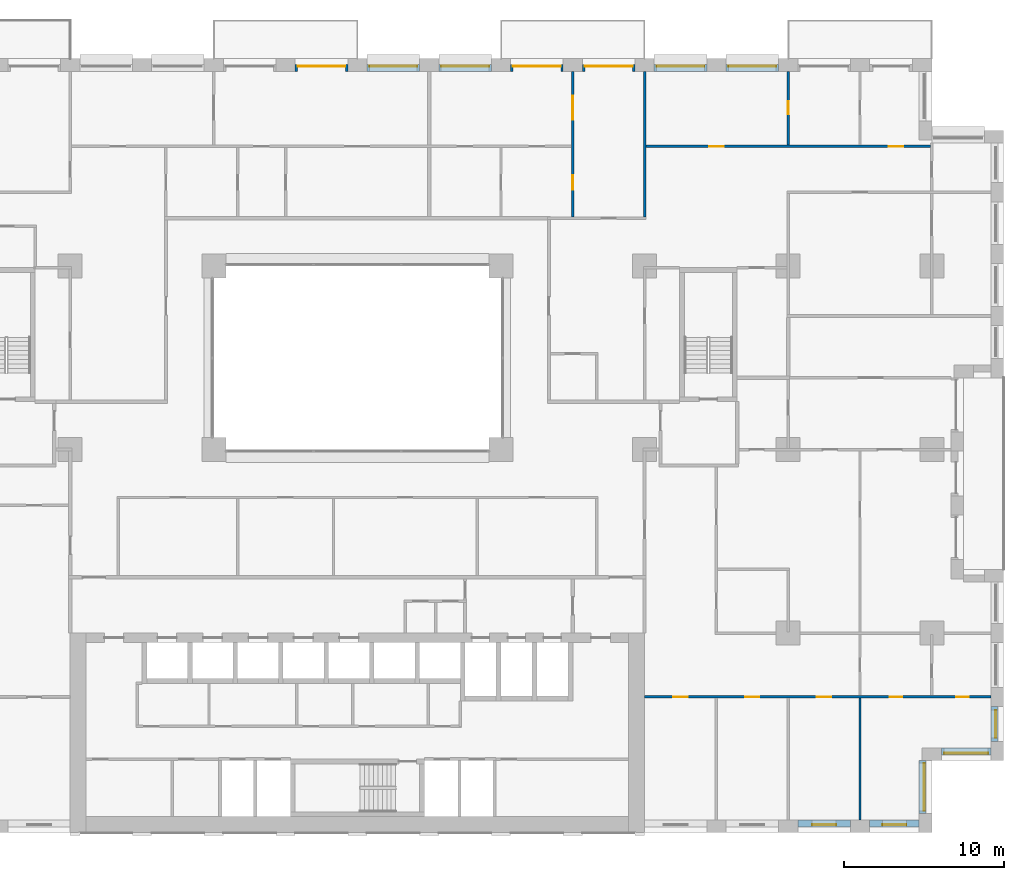
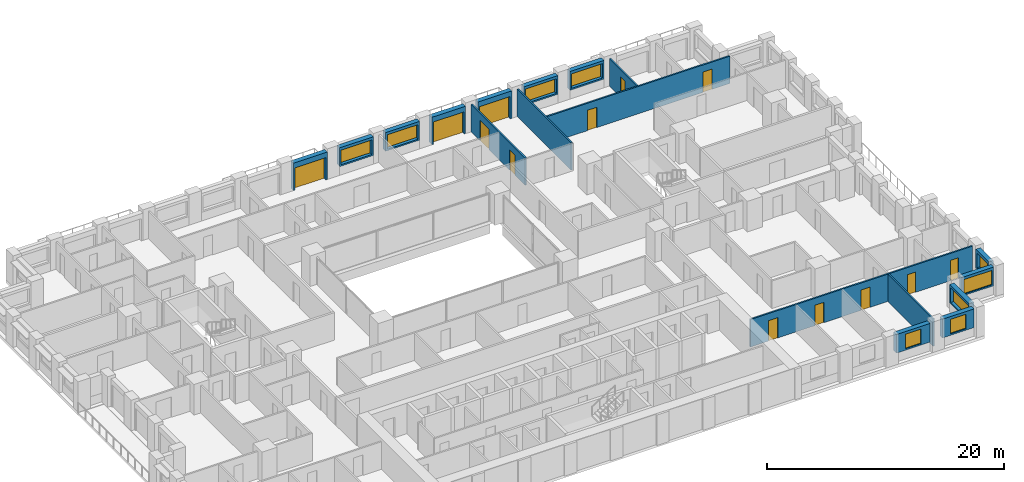
# One storey, part 15 of 19: 18 walls, 13 doors, 9 windows, 22 openings.
"""IFC4 building model written with IfcOpenShell, lengths in metres."""

from ifc_helpers import new_model, si_unit, direction, frame, frame_2d, origin, place, context, subcontext, project, spatial, rectangle, extrude, material, layer, layer_set, type_object, element, fill, save


model = new_model("IFC4")

# Units and contexts
model_context = context("Model", 3, precision=1e-05, world=origin(), true_north=direction((0.0, 1.0)))
body_context = subcontext(model_context, "Body", "Model", "MODEL_VIEW")
ifc_project = project(units=[si_unit("LENGTHUNIT", "METRE"), si_unit("AREAUNIT", "SQUARE_METRE"), si_unit("VOLUMEUNIT", "CUBIC_METRE"), si_unit("PLANEANGLEUNIT", "RADIAN"), si_unit("MASSUNIT", "GRAM", prefix="KILO")], contexts=[model_context])

# Site, building, storey
site_placement = place(None, origin())
site = spatial("IfcSite", under=ifc_project, at=site_placement, CompositionType="ELEMENT")
building_placement = place(site_placement, origin())
building = spatial("IfcBuilding", under=site, at=building_placement, Name="Brigalow Station Residences", CompositionType="ELEMENT")
storey_placement = place(building_placement, frame((0.0, 0.0, 28.949951171875)))
storey = spatial("IfcBuildingStorey", under=building, at=storey_placement, Name="L07", CompositionType="ELEMENT", Elevation=28.949951171875)

# Wall, opening, window
ifc_material_1 = material(Name="Clay brick masonry", Category="masonry")
ifc_layer_1 = layer(ifc_material_1, 0.449951171875)
ifc_layer_set_1 = layer_set([ifc_layer_1], Name="BRICK INFILL WALL 450")
wall_type_1 = type_object("IfcWallType", Name="BRICK INFILL WALL 450", PredefinedType="SOLIDWALL", material=ifc_layer_set_1)
wall_1_placement = place(storey_placement, frame((63.60009765625, 0.574951171875, 0.900146484375), z_axis=(0.0, 0.0, 1.0), x_axis=(1.0, 0.0, 0.0)))
wall_1 = element("IfcWall", 1, at=wall_1_placement, inside=storey, type_object=wall_type_1, Name="L07/ewall/W-L07-7", PredefinedType="SOLIDWALL", context=body_context, shape_type="SweptSolid", body=[
    extrude(rectangle(XDim=3.2998046875, YDim=0.449951171875, at=frame_2d((1.64990234375, 0.0))), origin(), (0.0, 0.0, 1.0), 1.929931640625),
])
opening_1_placement = place(wall_1_placement, frame((0.89990234375, 0.0, 0.14990234375)))
opening_1 = element("IfcOpeningElement", 2, at=opening_1_placement, cuts=wall_1, Name="Opening WT-1", PredefinedType="OPENING", context=body_context, shape_type="SweptSolid", body=[
    extrude(rectangle(XDim=1.5, YDim=1.5, at=frame_2d((0.75, 0.75))), frame((0.0, 0.23486328125, 0.0), z_axis=(0.0, -1.0, 0.0), x_axis=(1.0, 0.0, 0.0)), (0.0, 0.0, 1.0), 0.469970703125),
])
ifc_material_2 = material(Name="Anodised aluminium frame with double glazing", Category="aluminium")
window_type_1 = type_object("IfcWindowType", Name="WINDOW 1500x1500", PartitioningType="SINGLE_PANEL", PredefinedType="WINDOW", material=ifc_material_2)
window_1_placement = place(opening_1_placement, origin())
window_1 = element("IfcWindow", 3, at=window_1_placement, inside=storey, type_object=window_type_1, Name="L07/window/W-L07-7", OverallHeight=1.5, OverallWidth=1.5, PartitioningType="SINGLE_PANEL", PredefinedType="WINDOW", context=body_context, shape_type="SweptSolid", body=[
    extrude(rectangle(XDim=1.5, YDim=1.5, at=frame_2d((0.75, 0.75))), frame((0.0, -0.06494140625, 0.0), z_axis=(0.0, -1.0, 0.0), x_axis=(1.0, 0.0, 0.0)), (0.0, 0.0, 1.0), 0.06005859375),
])
fill(opening_1, window_1)

wall_2_placement = place(storey_placement, frame((68.10009765625, 0.574951171875, 0.900146484375), z_axis=(0.0, 0.0, 1.0), x_axis=(1.0, 0.0, 0.0)))
wall_2 = element("IfcWall", 4, at=wall_2_placement, inside=storey, type_object=wall_type_1, Name="L07/ewall/W-L07-8", PredefinedType="SOLIDWALL", context=body_context, shape_type="SweptSolid", body=[
    extrude(rectangle(XDim=3.099853515625, YDim=0.449951171875, at=frame_2d((1.5498046875, 0.0))), origin(), (0.0, 0.0, 1.0), 1.929931640625),
])
opening_2_placement = place(wall_2_placement, frame((0.800048828125, 0.0, 0.14990234375)))
opening_2 = element("IfcOpeningElement", 5, at=opening_2_placement, cuts=wall_2, Name="Opening WT-1", PredefinedType="OPENING", context=body_context, shape_type="SweptSolid", body=[
    extrude(rectangle(XDim=1.5, YDim=1.5, at=frame_2d((0.75, 0.75))), frame((0.0, 0.23486328125, 0.0), z_axis=(0.0, -1.0, 0.0), x_axis=(1.0, 0.0, 0.0)), (0.0, 0.0, 1.0), 0.469970703125),
])
window_2_placement = place(opening_2_placement, origin())
window_2 = element("IfcWindow", 6, at=window_2_placement, inside=storey, type_object=window_type_1, Name="L07/window/W-L07-8", OverallHeight=1.5, OverallWidth=1.5, PartitioningType="SINGLE_PANEL", PredefinedType="WINDOW", context=body_context, shape_type="SweptSolid", body=[
    extrude(rectangle(XDim=1.5, YDim=1.5, at=frame_2d((0.75, 0.75))), frame((0.0, -0.06494140625, 0.0), z_axis=(0.0, -1.0, 0.0), x_axis=(1.0, 0.0, 0.0)), (0.0, 0.0, 1.0), 0.06005859375),
])
fill(opening_2, window_2)

wall_3_placement = place(storey_placement, frame((71.425048828125, 1.199951171875, 0.900146484375), z_axis=(0.0, 0.0, 1.0), x_axis=(0.0, 1.0, 0.0)))
wall_3 = element("IfcWall", 7, at=wall_3_placement, inside=storey, type_object=wall_type_1, Name="L07/ewall/W-L07-9", PredefinedType="SOLIDWALL", context=body_context, shape_type="SweptSolid", body=[
    extrude(rectangle(XDim=3.300048828125, YDim=0.449951171875, at=frame_2d((1.64990234375, 0.0))), origin(), (0.0, 0.0, 1.0), 1.929931640625),
])
opening_3_placement = place(wall_3_placement, frame((0.14990234375, 0.0, 0.14990234375)))
opening_3 = element("IfcOpeningElement", 8, at=opening_3_placement, cuts=wall_3, Name="Opening WT-2", PredefinedType="OPENING", context=body_context, shape_type="SweptSolid", body=[
    extrude(rectangle(XDim=3.0, YDim=1.5, at=frame_2d((1.5, 0.75))), frame((0.0, 0.23486328125, 0.0), z_axis=(0.0, -1.0, 0.0), x_axis=(1.0, 0.0, 0.0)), (0.0, 0.0, 1.0), 0.469970703125),
])
ifc_material_3 = material(Name="Anodised aluminium frame with double glazing", Category="aluminium")
window_type_2 = type_object("IfcWindowType", Name="WINDOW 3000x1500", PartitioningType="SINGLE_PANEL", PredefinedType="WINDOW", material=ifc_material_3)
window_3_placement = place(opening_3_placement, origin())
window_3 = element("IfcWindow", 9, at=window_3_placement, inside=storey, type_object=window_type_2, Name="L07/window/W-L07-9", OverallHeight=1.5, OverallWidth=3.0, PartitioningType="SINGLE_PANEL", PredefinedType="WINDOW", context=body_context, shape_type="SweptSolid", body=[
    extrude(rectangle(XDim=3.0, YDim=1.5, at=frame_2d((1.5, 0.75))), frame((0.0, -0.06494140625, 0.0), z_axis=(0.0, -1.0, 0.0), x_axis=(1.0, 0.0, 0.0)), (0.0, 0.0, 1.0), 0.06005859375),
])
fill(opening_3, window_3)

wall_4_placement = place(storey_placement, frame((72.60009765625, 5.074951171875, 0.900146484375), z_axis=(0.0, 0.0, 1.0), x_axis=(1.0, 0.0, 0.0)))
wall_4 = element("IfcWall", 10, at=wall_4_placement, inside=storey, type_object=wall_type_1, Name="L07/ewall/W-L07-10", PredefinedType="SOLIDWALL", context=body_context, shape_type="SweptSolid", body=[
    extrude(rectangle(XDim=3.099853515625, YDim=0.449951171875, at=frame_2d((1.5498046875, 0.0))), origin(), (0.0, 0.0, 1.0), 1.929931640625),
])
opening_4_placement = place(wall_4_placement, frame((0.175048828125, 0.0, 0.14990234375)))
opening_4 = element("IfcOpeningElement", 11, at=opening_4_placement, cuts=wall_4, Name="Opening WT-3", PredefinedType="OPENING", context=body_context, shape_type="SweptSolid", body=[
    extrude(rectangle(XDim=2.75, YDim=1.5, at=frame_2d((1.375, 0.75))), frame((0.0, 0.23486328125, 0.0), z_axis=(0.0, -1.0, 0.0), x_axis=(1.0, 0.0, 0.0)), (0.0, 0.0, 1.0), 0.469970703125),
])
ifc_material_4 = material(Name="Anodised aluminium frame with double glazing", Category="aluminium")
window_type_3 = type_object("IfcWindowType", Name="WINDOW 2750x1500", PartitioningType="SINGLE_PANEL", PredefinedType="WINDOW", material=ifc_material_4)
window_4_placement = place(opening_4_placement, origin())
window_4 = element("IfcWindow", 12, at=window_4_placement, inside=storey, type_object=window_type_3, Name="L07/window/W-L07-10", OverallHeight=1.5, OverallWidth=2.75, PartitioningType="SINGLE_PANEL", PredefinedType="WINDOW", context=body_context, shape_type="SweptSolid", body=[
    extrude(rectangle(XDim=2.75, YDim=1.5, at=frame_2d((1.375, 0.75))), frame((0.0, -0.06494140625, 0.0), z_axis=(0.0, -1.0, 0.0), x_axis=(1.0, 0.0, 0.0)), (0.0, 0.0, 1.0), 0.06005859375),
])
fill(opening_4, window_4)

wall_5_placement = place(storey_placement, frame((75.925048828125, 5.699951171875, 0.900146484375), z_axis=(0.0, 0.0, 1.0), x_axis=(0.0, 1.0, 0.0)))
wall_5 = element("IfcWall", 13, at=wall_5_placement, inside=storey, type_object=wall_type_1, Name="L07/ewall/W-L07-11", PredefinedType="SOLIDWALL", context=body_context, shape_type="SweptSolid", body=[
    extrude(rectangle(XDim=2.199951171875, YDim=0.449951171875, at=frame_2d((1.10009765625, 0.0))), origin(), (0.0, 0.0, 1.0), 1.929931640625),
])
opening_5_placement = place(wall_5_placement, frame((0.22509765625, 0.0, 0.14990234375)))
opening_5 = element("IfcOpeningElement", 14, at=opening_5_placement, cuts=wall_5, Name="Opening WT-4", PredefinedType="OPENING", context=body_context, shape_type="SweptSolid", body=[
    extrude(rectangle(XDim=1.75, YDim=1.5, at=frame_2d((0.875, 0.75))), frame((0.0, 0.23486328125, 0.0), z_axis=(0.0, -1.0, 0.0), x_axis=(1.0, 0.0, 0.0)), (0.0, 0.0, 1.0), 0.469970703125),
])
ifc_material_5 = material(Name="Anodised aluminium frame with double glazing", Category="aluminium")
window_type_4 = type_object("IfcWindowType", Name="WINDOW 1750x1500", PartitioningType="SINGLE_PANEL", PredefinedType="WINDOW", material=ifc_material_5)
window_5_placement = place(opening_5_placement, origin())
window_5 = element("IfcWindow", 15, at=window_5_placement, inside=storey, type_object=window_type_4, Name="L07/window/W-L07-11", OverallHeight=1.5, OverallWidth=1.75, PartitioningType="SINGLE_PANEL", PredefinedType="WINDOW", context=body_context, shape_type="SweptSolid", body=[
    extrude(rectangle(XDim=1.75, YDim=1.5, at=frame_2d((0.875, 0.75))), frame((0.0, -0.06494140625, 0.0), z_axis=(0.0, -1.0, 0.0), x_axis=(1.0, 0.0, 0.0)), (0.0, 0.0, 1.0), 0.06005859375),
])
fill(opening_5, window_5)

wall_6_placement = place(storey_placement, frame((62.39990234375, 47.925048828125, 0.900146484375), z_axis=(0.0, 0.0, 1.0), x_axis=(-1.0, 0.0, 0.0)))
wall_6 = element("IfcWall", 16, at=wall_6_placement, inside=storey, type_object=wall_type_1, Name="L07/ewall/W-L07-27", PredefinedType="SOLIDWALL", context=body_context, shape_type="SweptSolid", body=[
    extrude(rectangle(XDim=3.2998046875, YDim=0.449951171875, at=frame_2d((1.64990234375, 0.0))), origin(), (0.0, 0.0, 1.0), 1.929931640625),
])
opening_6_placement = place(wall_6_placement, frame((0.14990234375, 0.0, 0.14990234375)))
opening_6 = element("IfcOpeningElement", 17, at=opening_6_placement, cuts=wall_6, Name="Opening WT-2", PredefinedType="OPENING", context=body_context, shape_type="SweptSolid", body=[
    extrude(rectangle(XDim=3.0, YDim=1.5, at=frame_2d((1.5, 0.75))), frame((0.0, 0.23486328125, 0.0), z_axis=(0.0, -1.0, 0.0), x_axis=(1.0, 0.0, 0.0)), (0.0, 0.0, 1.0), 0.469970703125),
])
window_6_placement = place(opening_6_placement, origin())
window_6 = element("IfcWindow", 18, at=window_6_placement, inside=storey, type_object=window_type_2, Name="L07/window/W-L07-27", OverallHeight=1.5, OverallWidth=3.0, PartitioningType="SINGLE_PANEL", PredefinedType="WINDOW", context=body_context, shape_type="SweptSolid", body=[
    extrude(rectangle(XDim=3.0, YDim=1.5, at=frame_2d((1.5, 0.75))), frame((0.0, -0.06494140625, 0.0), z_axis=(0.0, -1.0, 0.0), x_axis=(1.0, 0.0, 0.0)), (0.0, 0.0, 1.0), 0.06005859375),
])
fill(opening_6, window_6)

wall_7_placement = place(storey_placement, frame((57.89990234375, 47.925048828125, 0.900146484375), z_axis=(0.0, 0.0, 1.0), x_axis=(-1.0, 0.0, 0.0)))
wall_7 = element("IfcWall", 19, at=wall_7_placement, inside=storey, type_object=wall_type_1, Name="L07/ewall/W-L07-28", PredefinedType="SOLIDWALL", context=body_context, shape_type="SweptSolid", body=[
    extrude(rectangle(XDim=3.2998046875, YDim=0.449951171875, at=frame_2d((1.64990234375, 0.0))), origin(), (0.0, 0.0, 1.0), 1.929931640625),
])
opening_7_placement = place(wall_7_placement, frame((0.14990234375, 0.0, 0.14990234375)))
opening_7 = element("IfcOpeningElement", 20, at=opening_7_placement, cuts=wall_7, Name="Opening WT-2", PredefinedType="OPENING", context=body_context, shape_type="SweptSolid", body=[
    extrude(rectangle(XDim=3.0, YDim=1.5, at=frame_2d((1.5, 0.75))), frame((0.0, 0.23486328125, 0.0), z_axis=(0.0, -1.0, 0.0), x_axis=(1.0, 0.0, 0.0)), (0.0, 0.0, 1.0), 0.469970703125),
])
window_7_placement = place(opening_7_placement, origin())
window_7 = element("IfcWindow", 21, at=window_7_placement, inside=storey, type_object=window_type_2, Name="L07/window/W-L07-28", OverallHeight=1.5, OverallWidth=3.0, PartitioningType="SINGLE_PANEL", PredefinedType="WINDOW", context=body_context, shape_type="SweptSolid", body=[
    extrude(rectangle(XDim=3.0, YDim=1.5, at=frame_2d((1.5, 0.75))), frame((0.0, -0.06494140625, 0.0), z_axis=(0.0, -1.0, 0.0), x_axis=(1.0, 0.0, 0.0)), (0.0, 0.0, 1.0), 0.06005859375),
])
fill(opening_7, window_7)

# Wall, opening, door
wall_8_placement = place(storey_placement, frame((53.39990234375, 47.925048828125, 0.0), z_axis=(0.0, 0.0, 1.0), x_axis=(-1.0, 0.0, 0.0)))
wall_8 = element("IfcWall", 22, at=wall_8_placement, inside=storey, type_object=wall_type_1, Name="L07/ewall/W-L07-29", PredefinedType="SOLIDWALL", context=body_context, shape_type="SweptSolid", body=[
    extrude(rectangle(XDim=3.2998046875, YDim=0.449951171875, at=frame_2d((1.64990234375, 0.0))), origin(), (0.0, 0.0, 1.0), 2.830078125),
])
opening_8_placement = place(wall_8_placement, frame((0.14990234375, 0.0, 0.0)))
opening_8 = element("IfcOpeningElement", 23, at=opening_8_placement, cuts=wall_8, Name="Opening D-B3000", PredefinedType="OPENING", context=body_context, shape_type="SweptSolid", body=[
    extrude(rectangle(XDim=3.0, YDim=2.300048828125, at=frame_2d((1.5, 1.14990234375))), frame((0.0, 0.23486328125, 0.0), z_axis=(0.0, -1.0, 0.0), x_axis=(1.0, 0.0, 0.0)), (0.0, 0.0, 1.0), 0.469970703125),
])
ifc_material_6 = material(Name="Anodised aluminium frame with double glazing", Category="aluminium")
door_type_1 = type_object("IfcDoorType", Name="BALCONY SLIDING DOOR 3000x2300", OperationType="SLIDING_TO_LEFT", PredefinedType="DOOR", material=ifc_material_6)
door_1_placement = place(opening_8_placement, origin())
door_1 = element("IfcDoor", 24, at=door_1_placement, inside=storey, type_object=door_type_1, Name="L07/balcony-door/W-L07-29", OperationType="SLIDING_TO_LEFT", OverallHeight=2.300048828125, OverallWidth=3.0, PredefinedType="DOOR", context=body_context, shape_type="SweptSolid", body=[
    extrude(rectangle(XDim=3.0, YDim=2.300048828125, at=frame_2d((1.5, 1.14990234375))), frame((0.0, -0.06982421875, 0.0), z_axis=(0.0, -1.0, 0.0), x_axis=(1.0, 0.0, 0.0)), (0.0, 0.0, 1.0), 0.050048828125),
])
fill(opening_8, door_1)

wall_9_placement = place(storey_placement, frame((48.89990234375, 47.925048828125, 0.0), z_axis=(0.0, 0.0, 1.0), x_axis=(-1.0, 0.0, 0.0)))
wall_9 = element("IfcWall", 25, at=wall_9_placement, inside=storey, type_object=wall_type_1, Name="L07/ewall/W-L07-30", PredefinedType="SOLIDWALL", context=body_context, shape_type="SweptSolid", body=[
    extrude(rectangle(XDim=3.2998046875, YDim=0.449951171875, at=frame_2d((1.64990234375, 0.0))), origin(), (0.0, 0.0, 1.0), 2.830078125),
])
opening_9_placement = place(wall_9_placement, frame((0.14990234375, 0.0, 0.0)))
opening_9 = element("IfcOpeningElement", 26, at=opening_9_placement, cuts=wall_9, Name="Opening D-B3000", PredefinedType="OPENING", context=body_context, shape_type="SweptSolid", body=[
    extrude(rectangle(XDim=3.0, YDim=2.300048828125, at=frame_2d((1.5, 1.14990234375))), frame((0.0, 0.23486328125, 0.0), z_axis=(0.0, -1.0, 0.0), x_axis=(1.0, 0.0, 0.0)), (0.0, 0.0, 1.0), 0.469970703125),
])
door_2_placement = place(opening_9_placement, origin())
door_2 = element("IfcDoor", 27, at=door_2_placement, inside=storey, type_object=door_type_1, Name="L07/balcony-door/W-L07-30", OperationType="SLIDING_TO_LEFT", OverallHeight=2.300048828125, OverallWidth=3.0, PredefinedType="DOOR", context=body_context, shape_type="SweptSolid", body=[
    extrude(rectangle(XDim=3.0, YDim=2.300048828125, at=frame_2d((1.5, 1.14990234375))), frame((0.0, -0.06982421875, 0.0), z_axis=(0.0, -1.0, 0.0), x_axis=(1.0, 0.0, 0.0)), (0.0, 0.0, 1.0), 0.050048828125),
])
fill(opening_9, door_2)

# Wall, opening, window
wall_10_placement = place(storey_placement, frame((44.39990234375, 47.925048828125, 0.900146484375), z_axis=(0.0, 0.0, 1.0), x_axis=(-1.0, 0.0, 0.0)))
wall_10 = element("IfcWall", 28, at=wall_10_placement, inside=storey, type_object=wall_type_1, Name="L07/ewall/W-L07-31", PredefinedType="SOLIDWALL", context=body_context, shape_type="SweptSolid", body=[
    extrude(rectangle(XDim=3.2998046875, YDim=0.449951171875, at=frame_2d((1.64990234375, 0.0))), origin(), (0.0, 0.0, 1.0), 1.929931640625),
])
opening_10_placement = place(wall_10_placement, frame((0.14990234375, 0.0, 0.14990234375)))
opening_10 = element("IfcOpeningElement", 29, at=opening_10_placement, cuts=wall_10, Name="Opening WT-2", PredefinedType="OPENING", context=body_context, shape_type="SweptSolid", body=[
    extrude(rectangle(XDim=3.0, YDim=1.5, at=frame_2d((1.5, 0.75))), frame((0.0, 0.23486328125, 0.0), z_axis=(0.0, -1.0, 0.0), x_axis=(1.0, 0.0, 0.0)), (0.0, 0.0, 1.0), 0.469970703125),
])
window_8_placement = place(opening_10_placement, origin())
window_8 = element("IfcWindow", 30, at=window_8_placement, inside=storey, type_object=window_type_2, Name="L07/window/W-L07-31", OverallHeight=1.5, OverallWidth=3.0, PartitioningType="SINGLE_PANEL", PredefinedType="WINDOW", context=body_context, shape_type="SweptSolid", body=[
    extrude(rectangle(XDim=3.0, YDim=1.5, at=frame_2d((1.5, 0.75))), frame((0.0, -0.06494140625, 0.0), z_axis=(0.0, -1.0, 0.0), x_axis=(1.0, 0.0, 0.0)), (0.0, 0.0, 1.0), 0.06005859375),
])
fill(opening_10, window_8)

wall_11_placement = place(storey_placement, frame((39.89990234375, 47.925048828125, 0.900146484375), z_axis=(0.0, 0.0, 1.0), x_axis=(-1.0, 0.0, 0.0)))
wall_11 = element("IfcWall", 31, at=wall_11_placement, inside=storey, type_object=wall_type_1, Name="L07/ewall/W-L07-32", PredefinedType="SOLIDWALL", context=body_context, shape_type="SweptSolid", body=[
    extrude(rectangle(XDim=3.2998046875, YDim=0.449951171875, at=frame_2d((1.64990234375, 0.0))), origin(), (0.0, 0.0, 1.0), 1.929931640625),
])
opening_11_placement = place(wall_11_placement, frame((0.14990234375, 0.0, 0.14990234375)))
opening_11 = element("IfcOpeningElement", 32, at=opening_11_placement, cuts=wall_11, Name="Opening WT-2", PredefinedType="OPENING", context=body_context, shape_type="SweptSolid", body=[
    extrude(rectangle(XDim=3.0, YDim=1.5, at=frame_2d((1.5, 0.75))), frame((0.0, 0.23486328125, 0.0), z_axis=(0.0, -1.0, 0.0), x_axis=(1.0, 0.0, 0.0)), (0.0, 0.0, 1.0), 0.469970703125),
])
window_9_placement = place(opening_11_placement, origin())
window_9 = element("IfcWindow", 33, at=window_9_placement, inside=storey, type_object=window_type_2, Name="L07/window/W-L07-32", OverallHeight=1.5, OverallWidth=3.0, PartitioningType="SINGLE_PANEL", PredefinedType="WINDOW", context=body_context, shape_type="SweptSolid", body=[
    extrude(rectangle(XDim=3.0, YDim=1.5, at=frame_2d((1.5, 0.75))), frame((0.0, -0.06494140625, 0.0), z_axis=(0.0, -1.0, 0.0), x_axis=(1.0, 0.0, 0.0)), (0.0, 0.0, 1.0), 0.06005859375),
])
fill(opening_11, window_9)

# Wall, opening, door
wall_12_placement = place(storey_placement, frame((35.39990234375, 47.925048828125, 0.0), z_axis=(0.0, 0.0, 1.0), x_axis=(-1.0, 0.0, 0.0)))
wall_12 = element("IfcWall", 34, at=wall_12_placement, inside=storey, type_object=wall_type_1, Name="L07/ewall/W-L07-33", PredefinedType="SOLIDWALL", context=body_context, shape_type="SweptSolid", body=[
    extrude(rectangle(XDim=3.2998046875, YDim=0.449951171875, at=frame_2d((1.64990234375, 0.0))), origin(), (0.0, 0.0, 1.0), 2.830078125),
])
opening_12_placement = place(wall_12_placement, frame((0.14990234375, 0.0, 0.0)))
opening_12 = element("IfcOpeningElement", 35, at=opening_12_placement, cuts=wall_12, Name="Opening D-B3000", PredefinedType="OPENING", context=body_context, shape_type="SweptSolid", body=[
    extrude(rectangle(XDim=3.0, YDim=2.300048828125, at=frame_2d((1.5, 1.14990234375))), frame((0.0, 0.23486328125, 0.0), z_axis=(0.0, -1.0, 0.0), x_axis=(1.0, 0.0, 0.0)), (0.0, 0.0, 1.0), 0.469970703125),
])
door_3_placement = place(opening_12_placement, origin())
door_3 = element("IfcDoor", 36, at=door_3_placement, inside=storey, type_object=door_type_1, Name="L07/balcony-door/W-L07-33", OperationType="SLIDING_TO_LEFT", OverallHeight=2.300048828125, OverallWidth=3.0, PredefinedType="DOOR", context=body_context, shape_type="SweptSolid", body=[
    extrude(rectangle(XDim=3.0, YDim=2.300048828125, at=frame_2d((1.5, 1.14990234375))), frame((0.0, -0.06982421875, 0.0), z_axis=(0.0, -1.0, 0.0), x_axis=(1.0, 0.0, 0.0)), (0.0, 0.0, 1.0), 0.050048828125),
])
fill(opening_12, door_3)

# Wall, openings, doors
ifc_material_7 = material(Name="Plasterboard on steel stud partition", Category="steel")
ifc_layer_2 = layer(ifc_material_7, 0.14990234375)
ifc_layer_set_2 = layer_set([ifc_layer_2], Name="FLAT PARTITION 150")
wall_type_2 = type_object("IfcWallType", Name="FLAT PARTITION 150", PredefinedType="PARTITIONING", material=ifc_layer_set_2)
wall_13_placement = place(storey_placement, frame((54.0, 8.5, 0.0), z_axis=(0.0, 0.0, 1.0), x_axis=(1.0, 0.0, 0.0)))
wall_13 = element("IfcWall", 37, at=wall_13_placement, inside=storey, type_object=wall_type_2, Name="PW-1B13", PredefinedType="PARTITIONING", context=body_context, shape_type="SweptSolid", body=[
    extrude(rectangle(XDim=21.699951171875, YDim=0.14990234375, at=frame_2d((10.85009765625, 0.0))), origin(), (0.0, 0.0, 1.0), 2.830078125),
])
opening_13_placement = place(wall_13_placement, frame((1.800048828125, 0.0, 0.0)))
opening_13 = element("IfcOpeningElement", 38, at=opening_13_placement, cuts=wall_13, Name="Opening D-1B55", PredefinedType="OPENING", context=body_context, shape_type="SweptSolid", body=[
    extrude(rectangle(XDim=0.89990234375, YDim=2.10009765625, at=frame_2d((0.449951171875, 1.050048828125))), frame((0.0, 0.0849609375, 0.0), z_axis=(0.0, -1.0, 0.0), x_axis=(1.0, 0.0, 0.0)), (0.0, 0.0, 1.0), 0.169921875),
])
opening_14_placement = place(wall_13_placement, frame((6.300048828125, 0.0, 0.0)))
opening_14 = element("IfcOpeningElement", 39, at=opening_14_placement, cuts=wall_13, Name="Opening D-1B56", PredefinedType="OPENING", context=body_context, shape_type="SweptSolid", body=[
    extrude(rectangle(XDim=0.89990234375, YDim=2.10009765625, at=frame_2d((0.449951171875, 1.050048828125))), frame((0.0, 0.0849609375, 0.0), z_axis=(0.0, -1.0, 0.0), x_axis=(1.0, 0.0, 0.0)), (0.0, 0.0, 1.0), 0.169921875),
])
opening_15_placement = place(wall_13_placement, frame((10.800048828125, 0.0, 0.0)))
opening_15 = element("IfcOpeningElement", 40, at=opening_15_placement, cuts=wall_13, Name="Opening D-1B57", PredefinedType="OPENING", context=body_context, shape_type="SweptSolid", body=[
    extrude(rectangle(XDim=0.89990234375, YDim=2.10009765625, at=frame_2d((0.449951171875, 1.050048828125))), frame((0.0, 0.0849609375, 0.0), z_axis=(0.0, -1.0, 0.0), x_axis=(1.0, 0.0, 0.0)), (0.0, 0.0, 1.0), 0.169921875),
])
opening_16_placement = place(wall_13_placement, frame((19.52490234375, 0.0, 0.0)))
opening_16 = element("IfcOpeningElement", 41, at=opening_16_placement, cuts=wall_13, Name="Opening D-1B62", PredefinedType="OPENING", context=body_context, shape_type="SweptSolid", body=[
    extrude(rectangle(XDim=0.800048828125, YDim=2.10009765625, at=frame_2d((0.39990234375, 1.050048828125))), frame((0.0, 0.0849609375, 0.0), z_axis=(0.0, -1.0, 0.0), x_axis=(1.0, 0.0, 0.0)), (0.0, 0.0, 1.0), 0.169921875),
])
opening_17_placement = place(wall_13_placement, frame((15.35009765625, 0.0, 0.0)))
opening_17 = element("IfcOpeningElement", 42, at=opening_17_placement, cuts=wall_13, Name="Opening D-1B68", PredefinedType="OPENING", context=body_context, shape_type="SweptSolid", body=[
    extrude(rectangle(XDim=0.800048828125, YDim=2.10009765625, at=frame_2d((0.39990234375, 1.050048828125))), frame((0.0, 0.0849609375, 0.0), z_axis=(0.0, -1.0, 0.0), x_axis=(1.0, 0.0, 0.0)), (0.0, 0.0, 1.0), 0.169921875),
])
ifc_material_8 = material(Name="Solid-core timber door leaf", Category="wood")
door_type_2 = type_object("IfcDoorType", Name="INTERNAL DOOR 800 x 2100", OperationType="SINGLE_SWING_LEFT", PredefinedType="DOOR", material=ifc_material_8)
door_4_placement = place(opening_16_placement, origin())
door_4 = element("IfcDoor", 43, at=door_4_placement, inside=storey, type_object=door_type_2, Name="D-1B62", OperationType="SINGLE_SWING_RIGHT", OverallHeight=2.10009765625, OverallWidth=0.800048828125, PredefinedType="DOOR", context=body_context, shape_type="SweptSolid", body=[
    extrude(rectangle(XDim=0.800048828125, YDim=2.10009765625, at=frame_2d((0.39990234375, 1.050048828125))), frame((0.0, 0.02490234375, 0.0), z_axis=(0.0, -1.0, 0.0), x_axis=(1.0, 0.0, 0.0)), (0.0, 0.0, 1.0), 0.050048828125),
])
fill(opening_16, door_4)
door_5_placement = place(opening_17_placement, origin())
door_5 = element("IfcDoor", 44, at=door_5_placement, inside=storey, type_object=door_type_2, Name="D-1B68", OperationType="SINGLE_SWING_RIGHT", OverallHeight=2.10009765625, OverallWidth=0.800048828125, PredefinedType="DOOR", context=body_context, shape_type="SweptSolid", body=[
    extrude(rectangle(XDim=0.800048828125, YDim=2.10009765625, at=frame_2d((0.39990234375, 1.050048828125))), frame((0.0, 0.02490234375, 0.0), z_axis=(0.0, -1.0, 0.0), x_axis=(1.0, 0.0, 0.0)), (0.0, 0.0, 1.0), 0.050048828125),
])
fill(opening_17, door_5)
ifc_material_9 = material(Name="Solid-core timber door leaf", Category="wood")
door_type_3 = type_object("IfcDoorType", Name="INTERNAL DOOR 900 x 2100", OperationType="SINGLE_SWING_LEFT", PredefinedType="DOOR", material=ifc_material_9)
door_6_placement = place(opening_13_placement, frame((0.89990234375, 0.0, 0.0), z_axis=(0.0, 0.0, 1.0), x_axis=(-1.0, 0.0, 0.0)))
door_6 = element("IfcDoor", 45, at=door_6_placement, inside=storey, type_object=door_type_3, Name="D-1B55", OperationType="SINGLE_SWING_LEFT", OverallHeight=2.10009765625, OverallWidth=0.89990234375, PredefinedType="DOOR", context=body_context, shape_type="SweptSolid", body=[
    extrude(rectangle(XDim=0.89990234375, YDim=2.10009765625, at=frame_2d((0.449951171875, 1.050048828125))), frame((0.0, 0.02490234375, 0.0), z_axis=(0.0, -1.0, 0.0), x_axis=(1.0, 0.0, 0.0)), (0.0, 0.0, 1.0), 0.050048828125),
])
fill(opening_13, door_6)
door_7_placement = place(opening_14_placement, frame((0.89990234375, 0.0, 0.0), z_axis=(0.0, 0.0, 1.0), x_axis=(-1.0, 0.0, 0.0)))
door_7 = element("IfcDoor", 46, at=door_7_placement, inside=storey, type_object=door_type_3, Name="D-1B56", OperationType="SINGLE_SWING_LEFT", OverallHeight=2.10009765625, OverallWidth=0.89990234375, PredefinedType="DOOR", context=body_context, shape_type="SweptSolid", body=[
    extrude(rectangle(XDim=0.89990234375, YDim=2.10009765625, at=frame_2d((0.449951171875, 1.050048828125))), frame((0.0, 0.02490234375, 0.0), z_axis=(0.0, -1.0, 0.0), x_axis=(1.0, 0.0, 0.0)), (0.0, 0.0, 1.0), 0.050048828125),
])
fill(opening_14, door_7)
door_8_placement = place(opening_15_placement, frame((0.89990234375, 0.0, 0.0), z_axis=(0.0, 0.0, 1.0), x_axis=(-1.0, 0.0, 0.0)))
door_8 = element("IfcDoor", 47, at=door_8_placement, inside=storey, type_object=door_type_3, Name="D-1B57", OperationType="SINGLE_SWING_RIGHT", OverallHeight=2.10009765625, OverallWidth=0.89990234375, PredefinedType="DOOR", context=body_context, shape_type="SweptSolid", body=[
    extrude(rectangle(XDim=0.89990234375, YDim=2.10009765625, at=frame_2d((0.449951171875, 1.050048828125))), frame((0.0, 0.02490234375, 0.0), z_axis=(0.0, -1.0, 0.0), x_axis=(1.0, 0.0, 0.0)), (0.0, 0.0, 1.0), 0.050048828125),
])
fill(opening_15, door_8)

wall_14_placement = place(storey_placement, frame((54.074951171875, 43.0, 0.0), z_axis=(0.0, 0.0, 1.0), x_axis=(1.0, 0.0, 0.0)))
wall_14 = element("IfcWall", 48, at=wall_14_placement, inside=storey, type_object=wall_type_2, Name="PW-1B24", PredefinedType="PARTITIONING", context=body_context, shape_type="SweptSolid", body=[
    extrude(rectangle(XDim=17.85009765625, YDim=0.14990234375, at=frame_2d((8.925048828125, 0.0))), origin(), (0.0, 0.0, 1.0), 2.830078125),
])
opening_18_placement = place(wall_14_placement, frame((15.22509765625, 0.0, 0.0)))
opening_18 = element("IfcOpeningElement", 49, at=opening_18_placement, cuts=wall_14, Name="Opening D-1B38", PredefinedType="OPENING", context=body_context, shape_type="SweptSolid", body=[
    extrude(rectangle(XDim=0.89990234375, YDim=2.10009765625, at=frame_2d((0.449951171875, 1.050048828125))), frame((0.0, 0.0849609375, 0.0), z_axis=(0.0, -1.0, 0.0), x_axis=(1.0, 0.0, 0.0)), (0.0, 0.0, 1.0), 0.169921875),
])
opening_19_placement = place(wall_14_placement, frame((3.97509765625, 0.0, 0.0)))
opening_19 = element("IfcOpeningElement", 50, at=opening_19_placement, cuts=wall_14, Name="Opening D-1B44", PredefinedType="OPENING", context=body_context, shape_type="SweptSolid", body=[
    extrude(rectangle(XDim=0.89990234375, YDim=2.10009765625, at=frame_2d((0.449951171875, 1.050048828125))), frame((0.0, 0.0849609375, 0.0), z_axis=(0.0, -1.0, 0.0), x_axis=(1.0, 0.0, 0.0)), (0.0, 0.0, 1.0), 0.169921875),
])
door_9_placement = place(opening_18_placement, origin())
door_9 = element("IfcDoor", 51, at=door_9_placement, inside=storey, type_object=door_type_3, Name="D-1B38", OperationType="SINGLE_SWING_RIGHT", OverallHeight=2.10009765625, OverallWidth=0.89990234375, PredefinedType="DOOR", context=body_context, shape_type="SweptSolid", body=[
    extrude(rectangle(XDim=0.89990234375, YDim=2.10009765625, at=frame_2d((0.449951171875, 1.050048828125))), frame((0.0, 0.02490234375, 0.0), z_axis=(0.0, -1.0, 0.0), x_axis=(1.0, 0.0, 0.0)), (0.0, 0.0, 1.0), 0.050048828125),
])
fill(opening_18, door_9)
door_10_placement = place(opening_19_placement, origin())
door_10 = element("IfcDoor", 52, at=door_10_placement, inside=storey, type_object=door_type_3, Name="D-1B44", OperationType="SINGLE_SWING_RIGHT", OverallHeight=2.10009765625, OverallWidth=0.89990234375, PredefinedType="DOOR", context=body_context, shape_type="SweptSolid", body=[
    extrude(rectangle(XDim=0.89990234375, YDim=2.10009765625, at=frame_2d((0.449951171875, 1.050048828125))), frame((0.0, 0.02490234375, 0.0), z_axis=(0.0, -1.0, 0.0), x_axis=(1.0, 0.0, 0.0)), (0.0, 0.0, 1.0), 0.050048828125),
])
fill(opening_19, door_10)

# Wall
wall_15_placement = place(storey_placement, frame((54.0, 38.574951171875, 0.0), z_axis=(0.0, 0.0, 1.0), x_axis=(0.0, 1.0, 0.0)))
element("IfcWall", 53, at=wall_15_placement, inside=storey, type_object=wall_type_2, Name="PW-1B41", PredefinedType="PARTITIONING", context=body_context, shape_type="SweptSolid", body=[
    extrude(rectangle(XDim=9.125, YDim=0.14990234375, at=frame_2d((4.5625, 0.0))), origin(), (0.0, 0.0, 1.0), 2.830078125),
])

# Wall, opening, door
wall_16_placement = place(storey_placement, frame((63.0, 43.074951171875, 0.0), z_axis=(0.0, 0.0, 1.0), x_axis=(0.0, 1.0, 0.0)))
wall_16 = element("IfcWall", 54, at=wall_16_placement, inside=storey, type_object=wall_type_2, Name="PW-1B72", PredefinedType="PARTITIONING", context=body_context, shape_type="SweptSolid", body=[
    extrude(rectangle(XDim=4.625, YDim=0.14990234375, at=frame_2d((2.3125, 0.0))), origin(), (0.0, 0.0, 1.0), 2.830078125),
])
opening_20_placement = place(wall_16_placement, frame((1.949951171875, 0.0, 0.0)))
opening_20 = element("IfcOpeningElement", 55, at=opening_20_placement, cuts=wall_16, Name="Opening D-1B42", PredefinedType="OPENING", context=body_context, shape_type="SweptSolid", body=[
    extrude(rectangle(XDim=0.800048828125, YDim=2.10009765625, at=frame_2d((0.39990234375, 1.050048828125))), frame((0.0, 0.0849609375, 0.0), z_axis=(0.0, -1.0, 0.0), x_axis=(1.0, 0.0, 0.0)), (0.0, 0.0, 1.0), 0.169921875),
])
door_11_placement = place(opening_20_placement, frame((0.800048828125, 0.0, 0.0), z_axis=(0.0, 0.0, 1.0), x_axis=(-1.0, 0.0, 0.0)))
door_11 = element("IfcDoor", 56, at=door_11_placement, inside=storey, type_object=door_type_2, Name="D-1B42", OperationType="SINGLE_SWING_LEFT", OverallHeight=2.10009765625, OverallWidth=0.800048828125, PredefinedType="DOOR", context=body_context, shape_type="SweptSolid", body=[
    extrude(rectangle(XDim=0.800048828125, YDim=2.10009765625, at=frame_2d((0.39990234375, 1.050048828125))), frame((0.0, 0.02490234375, 0.0), z_axis=(0.0, -1.0, 0.0), x_axis=(1.0, 0.0, 0.0)), (0.0, 0.0, 1.0), 0.050048828125),
])
fill(opening_20, door_11)

# Wall, openings, doors
wall_17_placement = place(storey_placement, frame((49.5, 38.574951171875, 0.0), z_axis=(0.0, 0.0, 1.0), x_axis=(0.0, 1.0, 0.0)))
wall_17 = element("IfcWall", 57, at=wall_17_placement, inside=storey, type_object=wall_type_2, Name="PW-1B77", PredefinedType="PARTITIONING", context=body_context, shape_type="SweptSolid", body=[
    extrude(rectangle(XDim=9.125, YDim=0.14990234375, at=frame_2d((4.5625, 0.0))), origin(), (0.0, 0.0, 1.0), 2.830078125),
])
opening_21_placement = place(wall_17_placement, frame((6.10009765625, 0.0, 0.0)))
opening_21 = element("IfcOpeningElement", 58, at=opening_21_placement, cuts=wall_17, Name="Opening D-1B40", PredefinedType="OPENING", context=body_context, shape_type="SweptSolid", body=[
    extrude(rectangle(XDim=1.5, YDim=2.10009765625, at=frame_2d((0.75, 1.050048828125))), frame((0.0, 0.0849609375, 0.0), z_axis=(0.0, -1.0, 0.0), x_axis=(1.0, 0.0, 0.0)), (0.0, 0.0, 1.0), 0.169921875),
])
opening_22_placement = place(wall_17_placement, frame((1.72509765625, 0.0, 0.0)))
opening_22 = element("IfcOpeningElement", 59, at=opening_22_placement, cuts=wall_17, Name="Opening D-1B51", PredefinedType="OPENING", context=body_context, shape_type="SweptSolid", body=[
    extrude(rectangle(XDim=0.89990234375, YDim=2.10009765625, at=frame_2d((0.449951171875, 1.050048828125))), frame((0.0, 0.0849609375, 0.0), z_axis=(0.0, -1.0, 0.0), x_axis=(1.0, 0.0, 0.0)), (0.0, 0.0, 1.0), 0.169921875),
])
door_12_placement = place(opening_22_placement, origin())
door_12 = element("IfcDoor", 60, at=door_12_placement, inside=storey, type_object=door_type_3, Name="D-1B51", OperationType="SINGLE_SWING_RIGHT", OverallHeight=2.10009765625, OverallWidth=0.89990234375, PredefinedType="DOOR", context=body_context, shape_type="SweptSolid", body=[
    extrude(rectangle(XDim=0.89990234375, YDim=2.10009765625, at=frame_2d((0.449951171875, 1.050048828125))), frame((0.0, 0.02490234375, 0.0), z_axis=(0.0, -1.0, 0.0), x_axis=(1.0, 0.0, 0.0)), (0.0, 0.0, 1.0), 0.050048828125),
])
fill(opening_22, door_12)
ifc_material_10 = material(Name="Solid-core timber door leaf", Category="wood")
door_type_4 = type_object("IfcDoorType", Name="INTERNAL DOUBLE DOOR 1500 x 2100", OperationType="DOUBLE_DOOR_SINGLE_SWING", PredefinedType="DOOR", material=ifc_material_10)
door_13_placement = place(opening_21_placement, frame((1.5, 0.0, 0.0), z_axis=(0.0, 0.0, 1.0), x_axis=(-1.0, 0.0, 0.0)))
door_13 = element("IfcDoor", 61, at=door_13_placement, inside=storey, type_object=door_type_4, Name="D-1B40", OperationType="DOUBLE_DOOR_SINGLE_SWING", OverallHeight=2.10009765625, OverallWidth=1.5, PredefinedType="DOOR", context=body_context, shape_type="SweptSolid", body=[
    extrude(rectangle(XDim=1.5, YDim=2.10009765625, at=frame_2d((0.75, 1.050048828125))), frame((0.0, 0.02490234375, 0.0), z_axis=(0.0, -1.0, 0.0), x_axis=(1.0, 0.0, 0.0)), (0.0, 0.0, 1.0), 0.050048828125),
])
fill(opening_21, door_13)

# Wall
wall_18_placement = place(storey_placement, frame((67.5, 0.800048828125, 0.0), z_axis=(0.0, 0.0, 1.0), x_axis=(0.0, 1.0, 0.0)))
element("IfcWall", 62, at=wall_18_placement, inside=storey, type_object=wall_type_2, Name="PW-1B78", PredefinedType="PARTITIONING", context=body_context, shape_type="SweptSolid", body=[
    extrude(rectangle(XDim=7.625, YDim=0.14990234375, at=frame_2d((3.8125, 0.0))), origin(), (0.0, 0.0, 1.0), 2.830078125),
])

save(model, "model.ifc")
